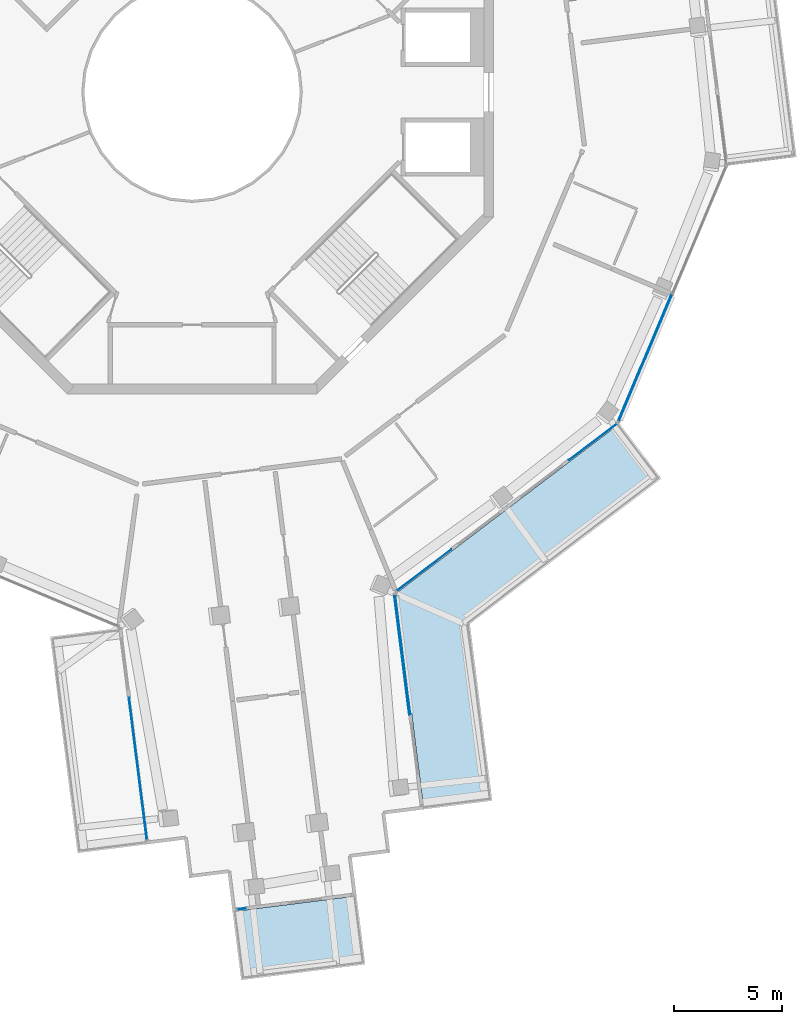
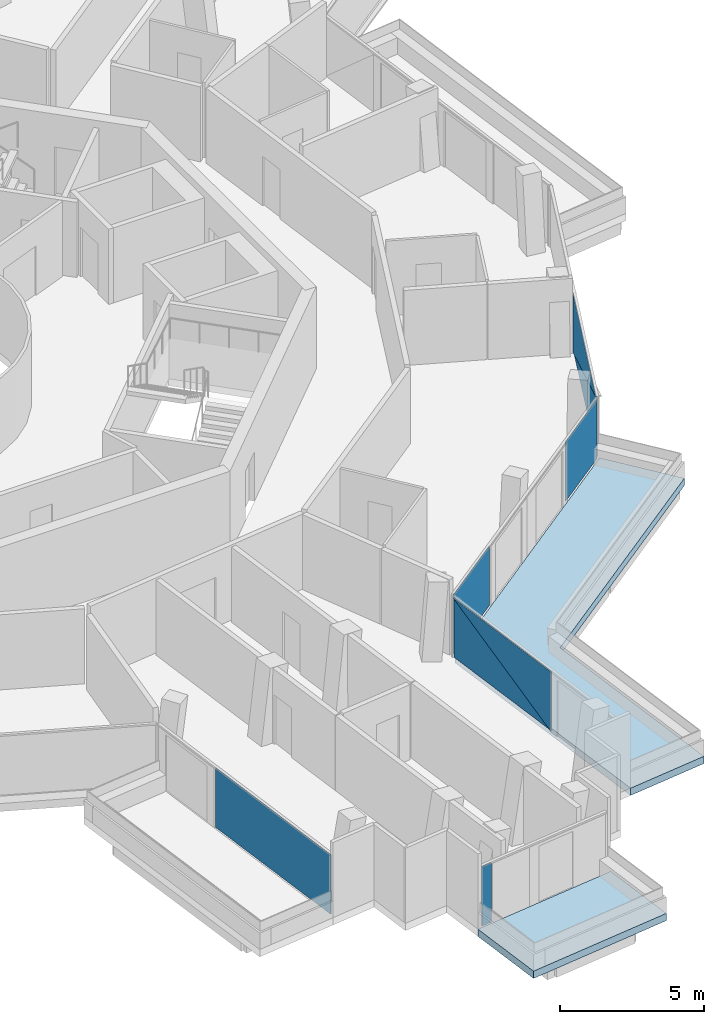
# One storey, part 13 of 26: 8 plates, 2 slabs, 5 elements without a shape of their own.
"""IFC4 building model written with IfcOpenShell, lengths in metres."""

from ifc_helpers import new_model, si_unit, direction, frame, origin, origin_2d, place, context, subcontext, project, spatial, polyline, rectangle, outline, extrude, material, layer, layer_set, type_object, element, aggregate, save


model = new_model("IFC4")

# Units and contexts
model_context = context("Model", 3, precision=1e-05, world=origin(), true_north=direction((0.0, 1.0)))
body_context = subcontext(model_context, "Body", "Model", "MODEL_VIEW")
ifc_project = project(units=[si_unit("LENGTHUNIT", "METRE"), si_unit("AREAUNIT", "SQUARE_METRE"), si_unit("VOLUMEUNIT", "CUBIC_METRE"), si_unit("PLANEANGLEUNIT", "RADIAN"), si_unit("MASSUNIT", "GRAM", prefix="KILO")], contexts=[model_context])

# Site, building, storey
site_placement = place(None, origin())
site = spatial("IfcSite", under=ifc_project, at=site_placement, CompositionType="ELEMENT")
building_placement = place(site_placement, origin())
building = spatial("IfcBuilding", under=site, at=building_placement, Name="Verdalira Terraces Hotel", CompositionType="ELEMENT")
storey_placement = place(building_placement, frame((0.0, 0.0, 306.5)))
storey = spatial("IfcBuildingStorey", under=building, at=storey_placement, Name="L76", CompositionType="ELEMENT", Elevation=306.5)

# Slabs
ifc_material_1 = material(Name="Precast concrete C40/50", Category="concrete")
ifc_layer_1 = layer(ifc_material_1, 0.31005859375)
ifc_layer_set_1 = layer_set([ifc_layer_1], Name="Balcony deck 310")
slab_type = type_object("IfcSlabType", Name="Balcony deck 310", PredefinedType="FLOOR", material=ifc_layer_set_1)
slab_1_placement = place(storey_placement, frame((0.0, 0.0, -0.310059)))
element("IfcSlab", 1, at=slab_1_placement, inside=storey, type_object=slab_type, Name="Balcony deck", PredefinedType="FLOOR", context=body_context, shape_type="SweptSolid", body=[
    extrude(outline(polyline([(8.037842, -40.487793), (7.636719, -37.312988), (1.882568, -38.039795), (2.283447, -41.2146), (8.037842, -40.487793)])), origin(), (0.0, 0.0, 1.0), 0.310059),
])
slab_2_placement = place(storey_placement, frame((0.0, 0.0, -0.310059)))
element("IfcSlab", 2, at=slab_2_placement, inside=storey, type_object=slab_type, Name="Balcony deck", PredefinedType="FLOOR", context=body_context, shape_type="SweptSolid", body=[
    extrude(outline(polyline([(21.778809, -17.941406), (19.843994, -15.392578), (9.489014, -23.252441), (10.75708, -33.290039), (13.931885, -32.88916), (12.895508, -24.684326), (21.778809, -17.941406)])), origin(), (0.0, 0.0, 1.0), 0.310059),
])

# Curtain wall, plates
ifc_material_2 = material(Name="Clear glass", Category="glass")
ifc_layer_2 = layer(ifc_material_2, 0.14990234375)
ifc_layer_set_2 = layer_set([ifc_layer_2], Name="CW1 curtain wall")
curtain_wall_type_1 = type_object("IfcCurtainWallType", Name="CW1 curtain wall", PredefinedType="NOTDEFINED", material=ifc_layer_set_2)
curtain_wall_1_placement = place(storey_placement, origin())
curtain_wall_1 = element("IfcCurtainWall", 3, at=curtain_wall_1_placement, inside=storey, type_object=curtain_wall_type_1, Name="CW1 curtain wall L76 edge 25", PredefinedType="NOTDEFINED")
ifc_material_3 = material(Name="Clear glass", Category="glass")
ifc_layer_3 = layer(ifc_material_3, 0.028076171875)
ifc_layer_set_3 = layer_set([ifc_layer_3], Name="CW1 glass unit 28")
plate_type_1 = type_object("IfcPlateType", Name="CW1 glass unit 28", PredefinedType="CURTAIN_PANEL", material=ifc_layer_set_3)
plate_1_placement = place(storey_placement, frame((10.761963, -22.192139, 0.0), z_axis=(0.0, 0.0, 1.0), x_axis=(0.796529918, 0.604599115, 0.0)))
plate_1 = element("IfcPlate", 4, at=plate_1_placement, type_object=plate_type_1, Name="CW1 glass unit", PredefinedType="CURTAIN_PANEL", context=body_context, shape_type="SweptSolid", body=[
    extrude(rectangle(XDim=3.189941, YDim=0.028076, at=origin_2d()), origin(), (0.0, 0.0, 1.0), 2.524902),
])
plate_2_placement = place(storey_placement, frame((18.608398, -16.236328, 0.0), z_axis=(0.0, 0.0, 1.0), x_axis=(0.796529918, 0.604599115, 0.0)))
plate_2 = element("IfcPlate", 5, at=plate_2_placement, type_object=plate_type_1, Name="CW1 glass unit", PredefinedType="CURTAIN_PANEL", context=body_context, shape_type="SweptSolid", body=[
    extrude(rectangle(XDim=2.788574, YDim=0.028076, at=origin_2d()), origin(), (0.0, 0.0, 1.0), 2.524902),
])
aggregate(curtain_wall_1, [plate_1, plate_2])

curtain_wall_2_placement = place(storey_placement, origin())
curtain_wall_2 = element("IfcCurtainWall", 6, at=curtain_wall_2_placement, inside=storey, type_object=curtain_wall_type_1, Name="CW1 curtain wall L76 edge 26", PredefinedType="NOTDEFINED")
plate_3_placement = place(storey_placement, frame((21.034912, -12.329834, 1.262451), z_axis=(0.921863152, -0.387515586, 0.0), x_axis=(0.387515586, 0.921863152, 0.0)))
plate_3 = element("IfcPlate", 7, at=plate_3_placement, type_object=plate_type_1, Name="CW1 glass unit", PredefinedType="CURTAIN_PANEL", context=body_context, shape_type="SweptSolid", body=[
    extrude(outline(polyline([(-3.185059, -1.262451), (3.185059, -1.262451), (-3.185059, 1.262451), (-3.185059, -1.262451)])), origin(), (0.0, 0.0, 1.0), 0.028076),
])
plate_4_placement = place(storey_placement, frame((21.008057, -12.318604, 1.262451), z_axis=(0.921863152, -0.387515586, 0.0), x_axis=(0.387515586, 0.921863152, 0.0)))
plate_4 = element("IfcPlate", 8, at=plate_4_placement, type_object=plate_type_1, Name="CW1 glass unit", PredefinedType="CURTAIN_PANEL", context=body_context, shape_type="SweptSolid", body=[
    extrude(outline(polyline([(3.185059, -1.262451), (3.185059, 1.262451), (-3.185059, 1.262451), (3.185059, -1.262451)])), origin(), (0.0, 0.0, 1.0), 0.028076),
])
aggregate(curtain_wall_2, [plate_3, plate_4])

# Curtain wall, plate
ifc_material_4 = material(Name="Clear glass", Category="glass")
ifc_layer_4 = layer(ifc_material_4, 0.14990234375)
ifc_layer_set_4 = layer_set([ifc_layer_4], Name="CW2 curtain wall")
curtain_wall_type_2 = type_object("IfcCurtainWallType", Name="CW2 curtain wall", PredefinedType="NOTDEFINED", material=ifc_layer_set_4)
curtain_wall_3_placement = place(storey_placement, origin())
curtain_wall_3 = element("IfcCurtainWall", 9, at=curtain_wall_3_placement, inside=storey, type_object=curtain_wall_type_2, Name="CW2 curtain wall L76 edge 14", PredefinedType="NOTDEFINED")
ifc_material_5 = material(Name="Clear glass", Category="glass")
ifc_layer_5 = layer(ifc_material_5, 0.031982421875)
ifc_layer_set_5 = layer_set([ifc_layer_5], Name="CW2 glass unit 32")
plate_type_2 = type_object("IfcPlateType", Name="CW2 glass unit 32", PredefinedType="CURTAIN_PANEL", material=ifc_layer_set_5)
plate_5_placement = place(storey_placement, frame((-2.508789, -31.404053, 0.0), z_axis=(0.0, 0.0, 1.0), x_axis=(0.125333234, -0.992114701, 0.0)))
plate_5 = element("IfcPlate", 10, at=plate_5_placement, type_object=plate_type_2, Name="CW2 glass unit", PredefinedType="CURTAIN_PANEL", context=body_context, shape_type="SweptSolid", body=[
    extrude(rectangle(XDim=6.627441, YDim=0.031982, at=origin_2d()), origin(), (0.0, 0.0, 1.0), 2.524902),
])
aggregate(curtain_wall_3, [plate_5])

# Curtain wall, plates
curtain_wall_4_placement = place(storey_placement, origin())
curtain_wall_4 = element("IfcCurtainWall", 11, at=curtain_wall_4_placement, inside=storey, type_object=curtain_wall_type_2, Name="CW2 curtain wall L76 edge 24", PredefinedType="NOTDEFINED")
plate_6_placement = place(storey_placement, frame((9.758789, -26.112793, 1.262451), z_axis=(0.992114701, 0.125333234, 0.0), x_axis=(-0.125333234, 0.992114701, 0.0)))
plate_6 = element("IfcPlate", 12, at=plate_6_placement, type_object=plate_type_2, Name="CW2 glass unit", PredefinedType="CURTAIN_PANEL", context=body_context, shape_type="SweptSolid", body=[
    extrude(outline(polyline([(-2.801758, -1.262451), (2.801758, -1.262451), (2.801758, 1.262451), (-2.801758, -1.262451)])), origin(), (0.0, 0.0, 1.0), 0.031982),
])
plate_7_placement = place(storey_placement, frame((9.726074, -26.116943, 1.262451), z_axis=(0.992114701, 0.125333234, 0.0), x_axis=(-0.125333234, 0.992114701, 0.0)))
plate_7 = element("IfcPlate", 13, at=plate_7_placement, type_object=plate_type_2, Name="CW2 glass unit", PredefinedType="CURTAIN_PANEL", context=body_context, shape_type="SweptSolid", body=[
    extrude(outline(polyline([(-2.801758, -1.262451), (2.801758, 1.262451), (-2.801758, 1.262451), (-2.801758, -1.262451)])), origin(), (0.0, 0.0, 1.0), 0.031982),
])
aggregate(curtain_wall_4, [plate_6, plate_7])

# Curtain wall, plate
ifc_material_6 = material(Name="Clear glass", Category="glass")
ifc_layer_6 = layer(ifc_material_6, 0.14990234375)
ifc_layer_set_6 = layer_set([ifc_layer_6], Name="CW3 curtain wall")
curtain_wall_type_3 = type_object("IfcCurtainWallType", Name="CW3 curtain wall", PredefinedType="NOTDEFINED", material=ifc_layer_set_6)
curtain_wall_5_placement = place(storey_placement, origin())
curtain_wall_5 = element("IfcCurtainWall", 14, at=curtain_wall_5_placement, inside=storey, type_object=curtain_wall_type_3, Name="CW3 curtain wall L76 edge 19", PredefinedType="NOTDEFINED")
ifc_material_7 = material(Name="Clear glass", Category="glass")
ifc_layer_7 = layer(ifc_material_7, 0.035888671875)
ifc_layer_set_7 = layer_set([ifc_layer_7], Name="CW3 glass unit 36")
plate_type_3 = type_object("IfcPlateType", Name="CW3 glass unit 36", PredefinedType="CURTAIN_PANEL", material=ifc_layer_set_7)
plate_8_placement = place(storey_placement, frame((2.299805, -37.911621, 0.0), z_axis=(0.0, 0.0, 1.0), x_axis=(0.992114701, 0.125333234, 0.0)))
plate_8 = element("IfcPlate", 15, at=plate_8_placement, type_object=plate_type_3, Name="CW3 glass unit", PredefinedType="CURTAIN_PANEL", context=body_context, shape_type="SweptSolid", body=[
    extrude(rectangle(XDim=0.399902, YDim=0.035889, at=origin_2d()), origin(), (0.0, 0.0, 1.0), 2.524902),
])
aggregate(curtain_wall_5, [plate_8])

save(model, "model.ifc")
